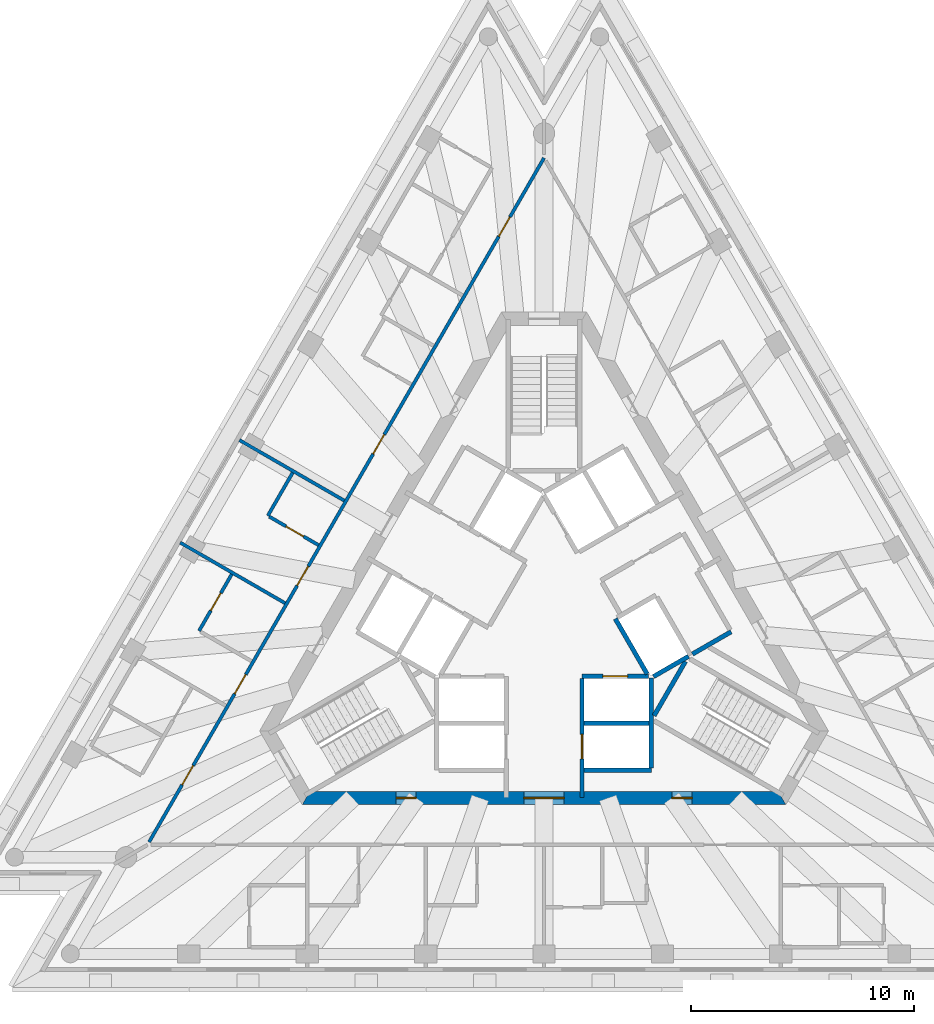
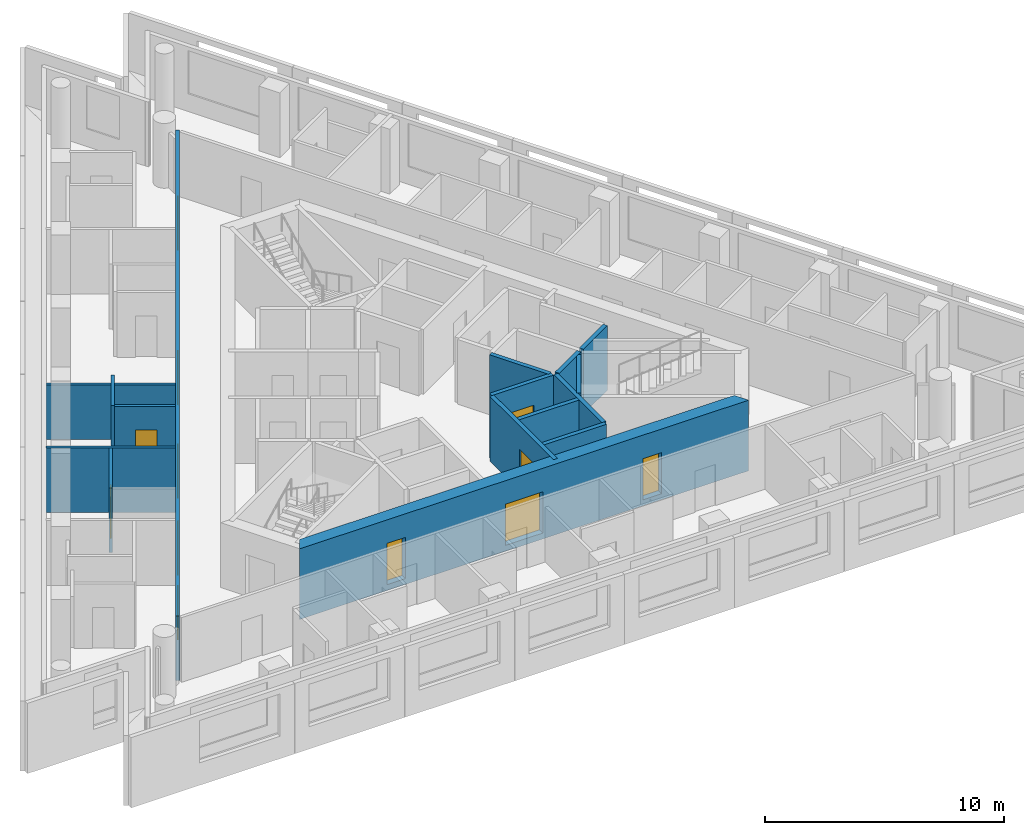
# One storey, part 4 of 11: 16 walls, 12 doors, 12 openings.
"""IFC4 building model written with IfcOpenShell, lengths in metres."""

from ifc_helpers import new_model, si_unit, direction, frame, frame_2d, origin, place, context, subcontext, project, spatial, polyline, rectangle, outline, extrude, material, layer, layer_set, type_object, element, fill, save


model = new_model("IFC4")

# Units and contexts
model_context = context("Model", 3, precision=1e-05, world=origin(), true_north=direction((0.0, 1.0)))
body_context = subcontext(model_context, "Body", "Model", "MODEL_VIEW")
ifc_project = project(units=[si_unit("LENGTHUNIT", "METRE"), si_unit("AREAUNIT", "SQUARE_METRE"), si_unit("VOLUMEUNIT", "CUBIC_METRE"), si_unit("PLANEANGLEUNIT", "RADIAN"), si_unit("MASSUNIT", "GRAM", prefix="KILO")], contexts=[model_context])

# Site, building, storey
site_placement = place(None, origin())
site = spatial("IfcSite", under=ifc_project, at=site_placement, CompositionType="ELEMENT")
building_placement = place(site_placement, origin())
building = spatial("IfcBuilding", under=site, at=building_placement, Name="Triada Interchange Tower", CompositionType="ELEMENT")
storey_placement = place(building_placement, frame((0.0, 0.0, 300.699951171875)))
storey = spatial("IfcBuildingStorey", under=building, at=storey_placement, Name="L71", CompositionType="ELEMENT", Elevation=300.699951171875)

# Walls
ifc_material_1 = material(Name="Concrete C30/37", Category="concrete")
ifc_layer_1 = layer(ifc_material_1, 0.199951171875)
ifc_layer_set_1 = layer_set([ifc_layer_1], Name="CORE WALL 200 EI 120")
wall_type_1 = type_object("IfcWallType", Name="CORE WALL 200 EI 120", PredefinedType="SOLIDWALL", material=ifc_layer_set_1)
wall_1_placement = place(storey_placement, frame((1.800048828125, -4.800048828125, 0.0), z_axis=(0.0, 0.0, 1.0), x_axis=(1.0, 0.0, 0.0)))
element("IfcWall", 1, at=wall_1_placement, inside=storey, type_object=wall_type_1, Name="Wall L71 72", PredefinedType="SOLIDWALL", context=body_context, shape_type="SweptSolid", body=[
    extrude(rectangle(XDim=2.89990234375, YDim=0.199951171875, at=frame_2d((1.449951171875, 0.0))), origin(), (0.0, 0.0, 1.0), 3.300048828125),
])
wall_2_placement = place(storey_placement, frame((1.800048828125, -6.89990234375, 0.0), z_axis=(0.0, 0.0, 1.0), x_axis=(1.0, 0.0, 0.0)))
element("IfcWall", 2, at=wall_2_placement, inside=storey, type_object=wall_type_1, Name="Wall L71 75", PredefinedType="SOLIDWALL", context=body_context, shape_type="SweptSolid", body=[
    extrude(rectangle(XDim=3.0, YDim=0.199951171875, at=frame_2d((1.5, 0.0))), origin(), (0.0, 0.0, 1.0), 3.300048828125),
])

# Wall, opening, door
wall_3_placement = place(storey_placement, frame((1.702880859375, -2.699951171875, 0.0), z_axis=(0.0, 0.0, 1.0), x_axis=(1.0, 0.0, 0.0)))
wall_3 = element("IfcWall", 3, at=wall_3_placement, inside=storey, type_object=wall_type_1, Name="Wall L71 78", PredefinedType="SOLIDWALL", context=body_context, shape_type="SweptSolid", body=[
    extrude(rectangle(XDim=2.97314453125, YDim=0.199951171875, at=frame_2d((1.486572265625, 0.0))), origin(), (0.0, 0.0, 1.0), 3.300048828125),
])
opening_1_placement = place(wall_3_placement, frame((0.93603515625, 0.0, 0.0)))
opening_1 = element("IfcOpeningElement", 4, at=opening_1_placement, cuts=wall_3, Name="Opening LD-HR1", PredefinedType="OPENING", context=body_context, shape_type="SweptSolid", body=[
    extrude(rectangle(XDim=1.10009765625, YDim=2.10009765625, at=frame_2d((0.550048828125, 1.050048828125))), frame((0.0, 0.10986328125, 0.0), z_axis=(0.0, -1.0, 0.0), x_axis=(1.0, 0.0, 0.0)), (0.0, 0.0, 1.0), 0.219970703125),
])
ifc_material_2 = material(Name="Steel S235 door leaf", Category="steel")
door_type_1 = type_object("IfcDoorType", Name="LIFT LANDING DOOR 1100 EI 120", OperationType="SLIDING_TO_LEFT", PredefinedType="DOOR", material=ifc_material_2)
door_1_placement = place(opening_1_placement, origin())
door_1 = element("IfcDoor", 5, at=door_1_placement, inside=storey, type_object=door_type_1, Name="HR1 landing door L71", OperationType="SLIDING_TO_LEFT", OverallHeight=2.10009765625, OverallWidth=1.10009765625, PredefinedType="DOOR", context=body_context, shape_type="SweptSolid", body=[
    extrude(rectangle(XDim=1.10009765625, YDim=2.10009765625, at=frame_2d((0.550048828125, 1.050048828125))), frame((0.0, 0.02490234375, 0.0), z_axis=(0.0, -1.0, 0.0), x_axis=(1.0, 0.0, 0.0)), (0.0, 0.0, 1.0), 0.050048828125),
])
fill(opening_1, door_1)

# Wall
wall_4_placement = place(storey_placement, frame((3.18994140625, -0.125, 0.0), z_axis=(0.0, 0.0, 1.0), x_axis=(0.499988658015, -0.866031951983, 0.0)))
element("IfcWall", 6, at=wall_4_placement, inside=storey, type_object=wall_type_1, Name="Wall L71 81", PredefinedType="SOLIDWALL", context=body_context, shape_type="SweptSolid", body=[
    extrude(rectangle(XDim=2.85791015625, YDim=0.199951171875, at=frame_2d((1.428955078125, 0.0))), origin(), (0.0, 0.0, 1.0), 3.300048828125),
])

# Wall, opening, door
wall_5_placement = place(storey_placement, frame((1.699951171875, -8.1298828125, 0.0), z_axis=(0.0, 0.0, 1.0), x_axis=(0.0, 1.0, 0.0)))
wall_5 = element("IfcWall", 7, at=wall_5_placement, inside=storey, type_object=wall_type_1, Name="Wall L71 83", PredefinedType="SOLIDWALL", context=body_context, shape_type="SweptSolid", body=[
    extrude(rectangle(XDim=5.326904296875, YDim=0.199951171875, at=frame_2d((2.66357421875, 0.0))), origin(), (0.0, 0.0, 1.0), 3.300048828125),
])
opening_2_placement = place(wall_5_placement, frame((1.72998046875, 0.0, 0.0)))
opening_2 = element("IfcOpeningElement", 8, at=opening_2_placement, cuts=wall_5, Name="Opening LD-HR2", PredefinedType="OPENING", context=body_context, shape_type="SweptSolid", body=[
    extrude(rectangle(XDim=1.10009765625, YDim=2.10009765625, at=frame_2d((0.550048828125, 1.050048828125))), frame((0.0, 0.10986328125, 0.0), z_axis=(0.0, -1.0, 0.0), x_axis=(1.0, 0.0, 0.0)), (0.0, 0.0, 1.0), 0.219970703125),
])
door_2_placement = place(opening_2_placement, origin())
door_2 = element("IfcDoor", 9, at=door_2_placement, inside=storey, type_object=door_type_1, Name="HR2 landing door L71", OperationType="SLIDING_TO_LEFT", OverallHeight=2.10009765625, OverallWidth=1.10009765625, PredefinedType="DOOR", context=body_context, shape_type="SweptSolid", body=[
    extrude(rectangle(XDim=1.10009765625, YDim=2.10009765625, at=frame_2d((0.550048828125, 1.050048828125))), frame((0.0, 0.02490234375, 0.0), z_axis=(0.0, -1.0, 0.0), x_axis=(1.0, 0.0, 0.0)), (0.0, 0.0, 1.0), 0.050048828125),
])
fill(opening_2, door_2)

# Walls
wall_6_placement = place(storey_placement, frame((4.800048828125, -6.800048828125, 0.0), z_axis=(0.0, 0.0, 1.0), x_axis=(0.0, 1.0, 0.0)))
element("IfcWall", 10, at=wall_6_placement, inside=storey, type_object=wall_type_1, Name="Wall L71 84", PredefinedType="SOLIDWALL", context=body_context, shape_type="SweptSolid", body=[
    extrude(rectangle(XDim=4.029052734375, YDim=0.199951171875, at=frame_2d((2.0146484375, 0.0))), origin(), (0.0, 0.0, 1.0), 3.300048828125),
])
wall_7_placement = place(storey_placement, frame((4.89990234375, -2.714111328125, 0.0), z_axis=(0.0, 0.0, 1.0), x_axis=(0.865846928409, 0.500309001083, 0.0)))
element("IfcWall", 11, at=wall_7_placement, inside=storey, type_object=wall_type_1, Name="Wall L71 90", PredefinedType="SOLIDWALL", context=body_context, shape_type="SweptSolid", body=[
    extrude(rectangle(XDim=1.813232421875, YDim=0.199951171875, at=frame_2d((0.90673828125, 0.0))), origin(), (0.0, 0.0, 1.0), 3.300048828125),
])
ifc_layer_2 = layer(ifc_material_1, 0.199951171875)
ifc_layer_set_2 = layer_set([ifc_layer_2], Name="CORE WALL 200 EI 90")
wall_type_2 = type_object("IfcWallType", Name="CORE WALL 200 EI 90", PredefinedType="SOLIDWALL", material=ifc_layer_set_2)
wall_8_placement = place(storey_placement, frame((6.64208984375, -1.7080078125, 0.0), z_axis=(0.0, 0.0, 1.0), x_axis=(0.866043441391, 0.499968756647, 0.0)))
element("IfcWall", 12, at=wall_8_placement, inside=storey, type_object=wall_type_2, Name="Wall L71 111", PredefinedType="SOLIDWALL", context=body_context, shape_type="SweptSolid", body=[
    extrude(rectangle(XDim=2.002197265625, YDim=0.199951171875, at=frame_2d((1.0009765625, 0.0))), origin(), (0.0, 0.0, 1.0), 3.300048828125),
])
ifc_layer_3 = layer(ifc_material_1, 0.199951171875)
ifc_layer_set_3 = layer_set([ifc_layer_3], Name="CORE WALL 200 REI 240")
wall_type_3 = type_object("IfcWallType", Name="CORE WALL 200 REI 240", PredefinedType="SOLIDWALL", material=ifc_layer_set_3)
wall_9_placement = place(storey_placement, frame((4.928955078125, -4.4619140625, 0.0), z_axis=(0.0, 0.0, 1.0), x_axis=(0.500200581029, 0.865909567298, 0.0)))
element("IfcWall", 13, at=wall_9_placement, inside=storey, type_object=wall_type_3, Name="Wall L71 122", PredefinedType="SOLIDWALL", context=body_context, shape_type="SweptSolid", body=[
    extrude(rectangle(XDim=2.799072265625, YDim=0.199951171875, at=frame_2d((1.3994140625, 0.0))), origin(), (0.0, 0.0, 1.0), 3.300048828125),
])

# Wall, openings, doors
ifc_material_3 = material(Name="Concrete C40/50", Category="concrete")
ifc_layer_4 = layer(ifc_material_3, 0.60009765625)
ifc_layer_set_4 = layer_set([ifc_layer_4], Name="Core wall D 600")
wall_type_4 = type_object("IfcWallType", Name="Core wall D 600", PredefinedType="SHEAR", material=ifc_layer_set_4)
wall_10_placement = place(storey_placement, frame((-10.652099609375, -8.14990234375, -0.300048828125), z_axis=(0.0, 0.0, 1.0), x_axis=(1.0, 0.0, 0.0)))
wall_10 = element("IfcWall", 14, at=wall_10_placement, inside=storey, type_object=wall_type_4, Name="Core wall WD04 L71", PredefinedType="SHEAR", context=body_context, shape_type="SweptSolid", body=[
    extrude(outline(polyline([(-0.173095703125, -0.300048828125), (1.795166015625, -0.300048828125), (3.76318359375, -0.300048828125), (5.7314453125, -0.300048828125), (7.69970703125, -0.300048828125), (9.66796875, -0.300048828125), (11.635986328125, -0.300048828125), (13.604248046875, -0.300048828125), (15.572509765625, -0.300048828125), (17.540771484375, -0.300048828125), (19.5087890625, -0.300048828125), (21.47705078125, -0.300048828125), (21.131103515625, 0.300048828125), (19.225830078125, 0.300048828125), (17.320556640625, 0.300048828125), (15.415283203125, 0.300048828125), (13.510009765625, 0.300048828125), (11.604736328125, 0.300048828125), (9.699462890625, 0.300048828125), (7.794189453125, 0.300048828125), (5.888916015625, 0.300048828125), (3.983642578125, 0.300048828125), (2.078369140625, 0.300048828125), (0.173095703125, 0.300048828125), (-0.173095703125, -0.300048828125)])), origin(), (0.0, 0.0, 1.0), 3.60009765625),
])
opening_3_placement = place(wall_10_placement, frame((9.751953125, 0.0, 0.300048828125)))
opening_3 = element("IfcOpeningElement", 15, at=opening_3_placement, cuts=wall_10, Name="Opening D71-49", PredefinedType="OPENING", context=body_context, shape_type="SweptSolid", body=[
    extrude(rectangle(XDim=1.800048828125, YDim=2.10009765625, at=frame_2d((0.89990234375, 1.050048828125))), frame((0.0, 0.31005859375, 0.0), z_axis=(0.0, -1.0, 0.0), x_axis=(1.0, 0.0, 0.0)), (0.0, 0.0, 1.0), 0.6201171875),
])
opening_4_placement = place(wall_10_placement, frame((4.02587890625, 0.0, 0.300048828125)))
opening_4 = element("IfcOpeningElement", 16, at=opening_4_placement, cuts=wall_10, Name="Opening D71-55", PredefinedType="OPENING", context=body_context, shape_type="SweptSolid", body=[
    extrude(rectangle(XDim=0.89990234375, YDim=2.10009765625, at=frame_2d((0.449951171875, 1.050048828125))), frame((0.0, 0.31005859375, 0.0), z_axis=(0.0, -1.0, 0.0), x_axis=(1.0, 0.0, 0.0)), (0.0, 0.0, 1.0), 0.6201171875),
])
opening_5_placement = place(wall_10_placement, frame((16.3779296875, 0.0, 0.300048828125)))
opening_5 = element("IfcOpeningElement", 17, at=opening_5_placement, cuts=wall_10, Name="Opening D71-58", PredefinedType="OPENING", context=body_context, shape_type="SweptSolid", body=[
    extrude(rectangle(XDim=0.89990234375, YDim=2.10009765625, at=frame_2d((0.449951171875, 1.050048828125))), frame((0.0, 0.31005859375, 0.0), z_axis=(0.0, -1.0, 0.0), x_axis=(1.0, 0.0, 0.0)), (0.0, 0.0, 1.0), 0.6201171875),
])
door_type_2 = type_object("IfcDoorType", Name="LOBBY DOOR 1800 EI2 90-C5S200", OperationType="DOUBLE_DOOR_SINGLE_SWING", PredefinedType="DOOR", material=ifc_material_2)
door_3_placement = place(opening_3_placement, origin())
door_3 = element("IfcDoor", 18, at=door_3_placement, inside=storey, type_object=door_type_2, Name="Door D71-49 L71", OperationType="DOUBLE_DOOR_SINGLE_SWING", OverallHeight=2.10009765625, OverallWidth=1.800048828125, PredefinedType="DOOR", context=body_context, shape_type="SweptSolid", body=[
    extrude(rectangle(XDim=1.800048828125, YDim=2.10009765625, at=frame_2d((0.89990234375, 1.050048828125))), frame((0.0, 0.02490234375, 0.0), z_axis=(0.0, -1.0, 0.0), x_axis=(1.0, 0.0, 0.0)), (0.0, 0.0, 1.0), 0.050048828125),
])
fill(opening_3, door_3)
door_type_3 = type_object("IfcDoorType", Name="SERVICE DOOR 900 EI2 45-C5S200", OperationType="NOTDEFINED", PredefinedType="DOOR", material=ifc_material_2)
door_4_placement = place(opening_4_placement, origin())
door_4 = element("IfcDoor", 19, at=door_4_placement, inside=storey, type_object=door_type_3, Name="Door D71-55 L71", OperationType="SINGLE_SWING_RIGHT", OverallHeight=2.10009765625, OverallWidth=0.89990234375, PredefinedType="DOOR", context=body_context, shape_type="SweptSolid", body=[
    extrude(rectangle(XDim=0.89990234375, YDim=2.10009765625, at=frame_2d((0.449951171875, 1.050048828125))), frame((0.0, 0.02490234375, 0.0), z_axis=(0.0, -1.0, 0.0), x_axis=(1.0, 0.0, 0.0)), (0.0, 0.0, 1.0), 0.050048828125),
])
fill(opening_4, door_4)
door_5_placement = place(opening_5_placement, origin())
door_5 = element("IfcDoor", 20, at=door_5_placement, inside=storey, type_object=door_type_3, Name="Door D71-58 L71", OperationType="SINGLE_SWING_RIGHT", OverallHeight=2.10009765625, OverallWidth=0.89990234375, PredefinedType="DOOR", context=body_context, shape_type="SweptSolid", body=[
    extrude(rectangle(XDim=0.89990234375, YDim=2.10009765625, at=frame_2d((0.449951171875, 1.050048828125))), frame((0.0, 0.02490234375, 0.0), z_axis=(0.0, -1.0, 0.0), x_axis=(1.0, 0.0, 0.0)), (0.0, 0.0, 1.0), 0.050048828125),
])
fill(opening_5, door_5)

ifc_material_4 = material(Name="Gypsum board partition")
ifc_layer_5 = layer(ifc_material_4, 0.14990234375)
ifc_layer_set_5 = layer_set([ifc_layer_5], Name="PARTITION 150 EI 180")
wall_type_5 = type_object("IfcWallType", Name="PARTITION 150 EI 180", PredefinedType="PARTITIONING", material=ifc_layer_set_5)
wall_11_placement = place(storey_placement, frame((-17.678955078125, -10.1201171875, 0.0), z_axis=(0.0, 0.0, 1.0), x_axis=(0.500008955215, 0.866020233427, 0.0)))
wall_11 = element("IfcWall", 21, at=wall_11_placement, inside=storey, type_object=wall_type_5, Name="Wall L71 5", PredefinedType="PARTITIONING", context=body_context, shape_type="SweptSolid", body=[
    extrude(rectangle(XDim=35.357177734375, YDim=0.14990234375, at=frame_2d((17.6787109375, 0.0))), origin(), (0.0, 0.0, 1.0), 3.300048828125),
])
opening_6_placement = place(wall_11_placement, frame((31.306884765625, 0.0, 0.0)))
opening_6 = element("IfcOpeningElement", 22, at=opening_6_placement, cuts=wall_11, Name="Opening D71-36", PredefinedType="OPENING", context=body_context, shape_type="SweptSolid", body=[
    extrude(rectangle(XDim=1.0, YDim=2.10009765625, at=frame_2d((0.5, 1.050048828125))), frame((0.0, 0.0849609375, 0.0), z_axis=(0.0, -1.0, 0.0), x_axis=(1.0, 0.0, 0.0)), (0.0, 0.0, 1.0), 0.169921875),
])
opening_7_placement = place(wall_11_placement, frame((20.055908203125, 0.0, 0.0)))
opening_7 = element("IfcOpeningElement", 23, at=opening_7_placement, cuts=wall_11, Name="Opening D71-39", PredefinedType="OPENING", context=body_context, shape_type="SweptSolid", body=[
    extrude(rectangle(XDim=1.0, YDim=2.10009765625, at=frame_2d((0.5, 1.050048828125))), frame((0.0, 0.0849609375, 0.0), z_axis=(0.0, -1.0, 0.0), x_axis=(1.0, 0.0, 0.0)), (0.0, 0.0, 1.0), 0.169921875),
])
opening_8_placement = place(wall_11_placement, frame((13.2529296875, 0.0, 0.0)))
opening_8 = element("IfcOpeningElement", 24, at=opening_8_placement, cuts=wall_11, Name="Opening D71-42", PredefinedType="OPENING", context=body_context, shape_type="SweptSolid", body=[
    extrude(rectangle(XDim=1.0, YDim=2.10009765625, at=frame_2d((0.5, 1.050048828125))), frame((0.0, 0.0849609375, 0.0), z_axis=(0.0, -1.0, 0.0), x_axis=(1.0, 0.0, 0.0)), (0.0, 0.0, 1.0), 0.169921875),
])
opening_9_placement = place(wall_11_placement, frame((7.653076171875, 0.0, 0.0)))
opening_9 = element("IfcOpeningElement", 25, at=opening_9_placement, cuts=wall_11, Name="Opening D71-44", PredefinedType="OPENING", context=body_context, shape_type="SweptSolid", body=[
    extrude(rectangle(XDim=1.0, YDim=2.10009765625, at=frame_2d((0.5, 1.050048828125))), frame((0.0, 0.0849609375, 0.0), z_axis=(0.0, -1.0, 0.0), x_axis=(1.0, 0.0, 0.0)), (0.0, 0.0, 1.0), 0.169921875),
])
opening_10_placement = place(wall_11_placement, frame((2.951904296875, 0.0, 0.0)))
opening_10 = element("IfcOpeningElement", 26, at=opening_10_placement, cuts=wall_11, Name="Opening D71-46", PredefinedType="OPENING", context=body_context, shape_type="SweptSolid", body=[
    extrude(rectangle(XDim=1.0, YDim=2.10009765625, at=frame_2d((0.5, 1.050048828125))), frame((0.0, 0.0849609375, 0.0), z_axis=(0.0, -1.0, 0.0), x_axis=(1.0, 0.0, 0.0)), (0.0, 0.0, 1.0), 0.169921875),
])
door_type_4 = type_object("IfcDoorType", Name="GUEST ROOM DOOR 1000 EI2 90-C5S200", OperationType="NOTDEFINED", PredefinedType="DOOR", material=ifc_material_2)
door_6_placement = place(opening_6_placement, origin())
door_6 = element("IfcDoor", 27, at=door_6_placement, inside=storey, type_object=door_type_4, Name="Door D71-36 L71", OperationType="SINGLE_SWING_RIGHT", OverallHeight=2.10009765625, OverallWidth=1.0, PredefinedType="DOOR", context=body_context, shape_type="SweptSolid", body=[
    extrude(rectangle(XDim=1.0, YDim=2.10009765625, at=frame_2d((0.5, 1.050048828125))), frame((0.0, 0.02490234375, 0.0), z_axis=(0.0, -1.0, 0.0), x_axis=(1.0, 0.0, 0.0)), (0.0, 0.0, 1.0), 0.050048828125),
])
fill(opening_6, door_6)
door_7_placement = place(opening_7_placement, origin())
door_7 = element("IfcDoor", 28, at=door_7_placement, inside=storey, type_object=door_type_4, Name="Door D71-39 L71", OperationType="SINGLE_SWING_RIGHT", OverallHeight=2.10009765625, OverallWidth=1.0, PredefinedType="DOOR", context=body_context, shape_type="SweptSolid", body=[
    extrude(rectangle(XDim=1.0, YDim=2.10009765625, at=frame_2d((0.5, 1.050048828125))), frame((0.0, 0.02490234375, 0.0), z_axis=(0.0, -1.0, 0.0), x_axis=(1.0, 0.0, 0.0)), (0.0, 0.0, 1.0), 0.050048828125),
])
fill(opening_7, door_7)
door_8_placement = place(opening_8_placement, origin())
door_8 = element("IfcDoor", 29, at=door_8_placement, inside=storey, type_object=door_type_4, Name="Door D71-42 L71", OperationType="SINGLE_SWING_RIGHT", OverallHeight=2.10009765625, OverallWidth=1.0, PredefinedType="DOOR", context=body_context, shape_type="SweptSolid", body=[
    extrude(rectangle(XDim=1.0, YDim=2.10009765625, at=frame_2d((0.5, 1.050048828125))), frame((0.0, 0.02490234375, 0.0), z_axis=(0.0, -1.0, 0.0), x_axis=(1.0, 0.0, 0.0)), (0.0, 0.0, 1.0), 0.050048828125),
])
fill(opening_8, door_8)
door_9_placement = place(opening_9_placement, origin())
door_9 = element("IfcDoor", 30, at=door_9_placement, inside=storey, type_object=door_type_4, Name="Door D71-44 L71", OperationType="SINGLE_SWING_LEFT", OverallHeight=2.10009765625, OverallWidth=1.0, PredefinedType="DOOR", context=body_context, shape_type="SweptSolid", body=[
    extrude(rectangle(XDim=1.0, YDim=2.10009765625, at=frame_2d((0.5, 1.050048828125))), frame((0.0, 0.02490234375, 0.0), z_axis=(0.0, -1.0, 0.0), x_axis=(1.0, 0.0, 0.0)), (0.0, 0.0, 1.0), 0.050048828125),
])
fill(opening_9, door_9)
door_10_placement = place(opening_10_placement, origin())
door_10 = element("IfcDoor", 31, at=door_10_placement, inside=storey, type_object=door_type_4, Name="Door D71-46 L71", OperationType="SINGLE_SWING_LEFT", OverallHeight=2.10009765625, OverallWidth=1.0, PredefinedType="DOOR", context=body_context, shape_type="SweptSolid", body=[
    extrude(rectangle(XDim=1.0, YDim=2.10009765625, at=frame_2d((0.5, 1.050048828125))), frame((0.0, 0.02490234375, 0.0), z_axis=(0.0, -1.0, 0.0), x_axis=(1.0, 0.0, 0.0)), (0.0, 0.0, 1.0), 0.050048828125),
])
fill(opening_10, door_10)

# Walls
wall_12_placement = place(storey_placement, frame((-16.2880859375, 3.282958984375, 0.0), z_axis=(0.0, 0.0, 1.0), x_axis=(0.866051380023, -0.499955005135, 0.0)))
element("IfcWall", 32, at=wall_12_placement, inside=storey, type_object=wall_type_5, Name="Wall L71 6", PredefinedType="PARTITIONING", context=body_context, shape_type="SweptSolid", body=[
    extrude(rectangle(XDim=5.42236328125, YDim=0.14990234375, at=frame_2d((2.711181640625, 0.0))), origin(), (0.0, 0.0, 1.0), 3.300048828125),
])
wall_13_placement = place(storey_placement, frame((-13.636962890625, 7.873046875, 0.0), z_axis=(0.0, 0.0, 1.0), x_axis=(0.866006352826, -0.500032995777, 0.0)))
element("IfcWall", 33, at=wall_13_placement, inside=storey, type_object=wall_type_5, Name="Wall L71 7", PredefinedType="PARTITIONING", context=body_context, shape_type="SweptSolid", body=[
    extrude(rectangle(XDim=5.421630859375, YDim=0.14990234375, at=frame_2d((2.7109375, 0.0))), origin(), (0.0, 0.0, 1.0), 2.800048828125),
])

# Wall, opening, door
ifc_layer_6 = layer(ifc_material_4, 0.14990234375)
ifc_layer_set_6 = layer_set([ifc_layer_6], Name="PARTITION 150 EI 90")
wall_type_6 = type_object("IfcWallType", Name="PARTITION 150 EI 90", PredefinedType="PARTITIONING", material=ifc_layer_set_6)
wall_14_placement = place(storey_placement, frame((-15.44189453125, -0.6689453125, 0.0), z_axis=(0.0, 0.0, 1.0), x_axis=(0.499874209568, 0.866098016745, 0.0)))
wall_14 = element("IfcWall", 34, at=wall_14_placement, inside=storey, type_object=wall_type_6, Name="Wall L71 34", PredefinedType="PARTITIONING", context=body_context, shape_type="SweptSolid", body=[
    extrude(rectangle(XDim=2.924560546875, YDim=0.14990234375, at=frame_2d((1.46240234375, 0.0))), origin(), (0.0, 0.0, 1.0), 3.300048828125),
])
opening_11_placement = place(wall_14_placement, frame((1.050048828125, 0.0, 0.0)))
opening_11 = element("IfcOpeningElement", 35, at=opening_11_placement, cuts=wall_14, Name="Opening D71-45", PredefinedType="OPENING", context=body_context, shape_type="SweptSolid", body=[
    extrude(rectangle(XDim=0.89990234375, YDim=2.10009765625, at=frame_2d((0.449951171875, 1.050048828125))), frame((0.0, 0.0849609375, 0.0), z_axis=(0.0, -1.0, 0.0), x_axis=(1.0, 0.0, 0.0)), (0.0, 0.0, 1.0), 0.169921875),
])
door_type_5 = type_object("IfcDoorType", Name="ROOM DOOR 900 EI2 45-C5S200", OperationType="NOTDEFINED", PredefinedType="DOOR", material=ifc_material_2)
door_11_placement = place(opening_11_placement, origin())
door_11 = element("IfcDoor", 36, at=door_11_placement, inside=storey, type_object=door_type_5, Name="Door D71-45 L71", OperationType="SINGLE_SWING_LEFT", OverallHeight=2.10009765625, OverallWidth=0.89990234375, PredefinedType="DOOR", context=body_context, shape_type="SweptSolid", body=[
    extrude(rectangle(XDim=0.89990234375, YDim=2.10009765625, at=frame_2d((0.449951171875, 1.050048828125))), frame((0.0, 0.02490234375, 0.0), z_axis=(0.0, -1.0, 0.0), x_axis=(1.0, 0.0, 0.0)), (0.0, 0.0, 1.0), 0.050048828125),
])
fill(opening_11, door_11)

# Wall
wall_15_placement = place(storey_placement, frame((-12.364990234375, 4.48291015625, 0.0), z_axis=(0.0, 0.0, 1.0), x_axis=(0.499833278392, 0.866121639155, 0.0)))
element("IfcWall", 37, at=wall_15_placement, inside=storey, type_object=wall_type_6, Name="Wall L71 37", PredefinedType="PARTITIONING", context=body_context, shape_type="SweptSolid", body=[
    extrude(rectangle(XDim=2.224853515625, YDim=0.14990234375, at=frame_2d((1.1123046875, 0.0))), origin(), (0.0, 0.0, 1.0), 3.300048828125),
])

# Wall, opening, door
wall_16_placement = place(storey_placement, frame((-12.300048828125, 4.445068359375, 0.0), z_axis=(0.0, 0.0, 1.0), x_axis=(0.865965520905, -0.500103705848, 0.0)))
wall_16 = element("IfcWall", 38, at=wall_16_placement, inside=storey, type_object=wall_type_6, Name="Wall L71 38", PredefinedType="PARTITIONING", context=body_context, shape_type="SweptSolid", body=[
    extrude(rectangle(XDim=2.5498046875, YDim=0.14990234375, at=frame_2d((1.27490234375, 0.0))), origin(), (0.0, 0.0, 1.0), 3.300048828125),
])
opening_12_placement = place(wall_16_placement, frame((0.875, 0.0, 0.0)))
opening_12 = element("IfcOpeningElement", 39, at=opening_12_placement, cuts=wall_16, Name="Opening D71-43", PredefinedType="OPENING", context=body_context, shape_type="SweptSolid", body=[
    extrude(rectangle(XDim=0.89990234375, YDim=2.10009765625, at=frame_2d((0.449951171875, 1.050048828125))), frame((0.0, 0.0849609375, 0.0), z_axis=(0.0, -1.0, 0.0), x_axis=(1.0, 0.0, 0.0)), (0.0, 0.0, 1.0), 0.169921875),
])
door_12_placement = place(opening_12_placement, origin())
door_12 = element("IfcDoor", 40, at=door_12_placement, inside=storey, type_object=door_type_5, Name="Door D71-43 L71", OperationType="SINGLE_SWING_RIGHT", OverallHeight=2.10009765625, OverallWidth=0.89990234375, PredefinedType="DOOR", context=body_context, shape_type="SweptSolid", body=[
    extrude(rectangle(XDim=0.89990234375, YDim=2.10009765625, at=frame_2d((0.449951171875, 1.050048828125))), frame((0.0, 0.02490234375, 0.0), z_axis=(0.0, -1.0, 0.0), x_axis=(1.0, 0.0, 0.0)), (0.0, 0.0, 1.0), 0.050048828125),
])
fill(opening_12, door_12)

save(model, "model.ifc")
